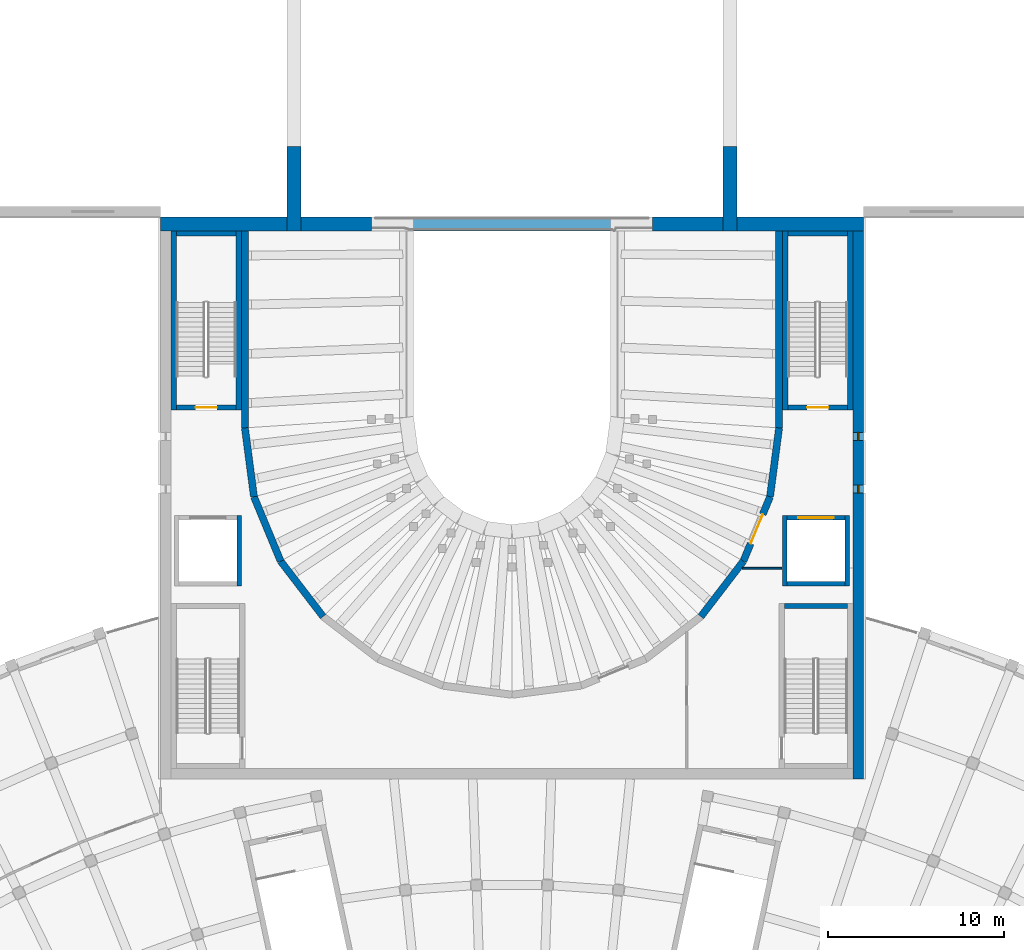
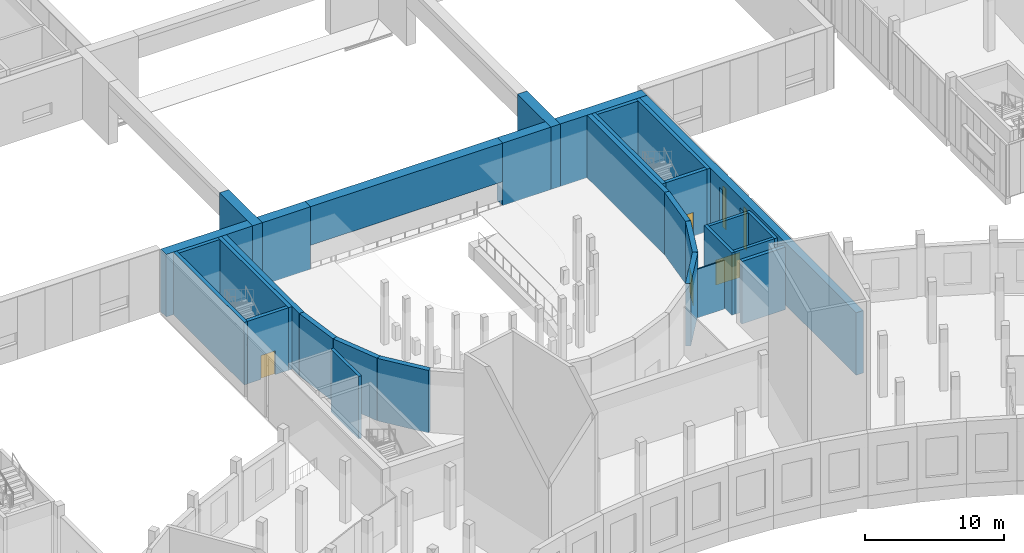
# One storey, part 39 of 87: 29 walls, 4 doors, 2 windows, 6 openings.
"""IFC4 building model written with IfcOpenShell, lengths in metres."""

from ifc_helpers import new_model, si_unit, direction, frame, frame_2d, origin, place, context, subcontext, project, spatial, rectangle, extrude, material, layer, layer_set, type_object, element, fill, save


model = new_model("IFC4")

# Units and contexts
model_context = context("Model", 3, precision=1e-05, world=origin(), true_north=direction((0.0, 1.0)))
body_context = subcontext(model_context, "Body", "Model", "MODEL_VIEW")
ifc_project = project(units=[si_unit("LENGTHUNIT", "METRE"), si_unit("AREAUNIT", "SQUARE_METRE"), si_unit("VOLUMEUNIT", "CUBIC_METRE"), si_unit("PLANEANGLEUNIT", "RADIAN"), si_unit("MASSUNIT", "GRAM", prefix="KILO")], contexts=[model_context])

# Site, building, storey
site_placement = place(None, origin())
site = spatial("IfcSite", under=ifc_project, at=site_placement, CompositionType="ELEMENT")
building_placement = place(site_placement, origin())
building = spatial("IfcBuilding", under=site, at=building_placement, Name="Lunette Opera House", CompositionType="ELEMENT")
storey_placement = place(building_placement, frame((0.0, 0.0, 11.5)))
storey = spatial("IfcBuildingStorey", under=building, at=storey_placement, Name="L02", CompositionType="ELEMENT", Elevation=11.5)

# Walls
ifc_material_1 = material(Name="Concrete C40/50", Category="concrete")
ifc_layer_1 = layer(ifc_material_1, 0.800048828125)
ifc_layer_set_1 = layer_set([ifc_layer_1], Name="Concrete C40/50")
wall_type_1 = type_object("IfcWallType", Name="FIRE WALL 800", PredefinedType="SHEAR", material=ifc_layer_set_1)
wall_1_placement = place(storey_placement, frame((76.0, 95.60009765625, 0.0), z_axis=(0.0, 0.0, 1.0), x_axis=(1.0, 0.0, 0.0)))
element("IfcWall", 1, at=wall_1_placement, inside=storey, type_object=wall_type_1, Name="wall-ST-L02-WP-1", PredefinedType="SHEAR", context=body_context, shape_type="SweptSolid", body=[
    extrude(rectangle(XDim=12.0, YDim=0.800048828125, at=frame_2d((6.0, 0.0))), origin(), (0.0, 0.0, 1.0), 5.5),
])
wall_2_placement = place(storey_placement, frame((88.0, 95.60009765625, 2.10009765625), z_axis=(0.0, 0.0, 1.0), x_axis=(1.0, 0.0, 0.0)))
element("IfcWall", 2, at=wall_2_placement, inside=storey, type_object=wall_type_1, Name="wall-ST-L02-WP-2", PredefinedType="SHEAR", context=body_context, shape_type="SweptSolid", body=[
    extrude(rectangle(XDim=16.0, YDim=0.800048828125, at=frame_2d((8.0, 0.0))), origin(), (0.0, 0.0, 1.0), 3.39990234375),
])
wall_3_placement = place(storey_placement, frame((104.0, 95.60009765625, 0.0), z_axis=(0.0, 0.0, 1.0), x_axis=(1.0, 0.0, 0.0)))
element("IfcWall", 3, at=wall_3_placement, inside=storey, type_object=wall_type_1, Name="wall-ST-L02-WP-3", PredefinedType="SHEAR", context=body_context, shape_type="SweptSolid", body=[
    extrude(rectangle(XDim=12.0, YDim=0.800048828125, at=frame_2d((6.0, 0.0))), origin(), (0.0, 0.0, 1.0), 5.5),
])
ifc_material_2 = material(Name="Concrete C35/45", Category="concrete")
ifc_layer_2 = layer(ifc_material_2, 0.25)
ifc_layer_set_2 = layer_set([ifc_layer_2], Name="Concrete C35/45")
wall_type_2 = type_object("IfcWallType", Name="RC LIFT SHAFT WALL 250", PredefinedType="SOLIDWALL", material=ifc_layer_set_2)
wall_4_placement = place(storey_placement, frame((115.074951171875, 75.0, 0.0), z_axis=(0.0, 0.0, 1.0), x_axis=(0.0, 1.0, 0.0)))
element("IfcWall", 4, at=wall_4_placement, inside=storey, type_object=wall_type_2, Name="LF3 shaft wall 1", PredefinedType="SOLIDWALL", context=body_context, shape_type="SweptSolid", body=[
    extrude(rectangle(XDim=4.0, YDim=0.25, at=frame_2d((2.0, 0.0))), origin(), (0.0, 0.0, 1.0), 5.5),
])

# Wall, opening, door
wall_5_placement = place(storey_placement, frame((114.949951171875, 78.875, 0.0), z_axis=(0.0, 0.0, 1.0), x_axis=(-1.0, 0.0, 0.0)))
wall_5 = element("IfcWall", 5, at=wall_5_placement, inside=storey, type_object=wall_type_2, Name="LF3 shaft wall 2", PredefinedType="SOLIDWALL", context=body_context, shape_type="SweptSolid", body=[
    extrude(rectangle(XDim=3.300048828125, YDim=0.25, at=frame_2d((1.64990234375, 0.0))), origin(), (0.0, 0.0, 1.0), 5.5),
])
opening_1_placement = place(wall_5_placement, frame((0.64990234375, 0.0, 0.0)))
opening_1 = element("IfcOpeningElement", 6, at=opening_1_placement, cuts=wall_5, Name="Opening AU-LD003", PredefinedType="OPENING", context=body_context, shape_type="SweptSolid", body=[
    extrude(rectangle(XDim=2.0, YDim=2.199951171875, at=frame_2d((1.0, 1.10009765625))), frame((0.0, 0.136962890625, 0.0), z_axis=(0.0, -1.0, 0.0), x_axis=(1.0, 0.0, 0.0)), (0.0, 0.0, 1.0), 0.27392578125),
])
ifc_material_3 = material(Name="Stainless steel", Category="steel")
door_type_1 = type_object("IfcDoorType", Name="LIFT LANDING DOOR 2000 X 2200", OperationType="DOUBLE_DOOR_SLIDING", PredefinedType="DOOR", material=ifc_material_3)
door_1_placement = place(opening_1_placement, origin())
door_1 = element("IfcDoor", 7, at=door_1_placement, inside=storey, type_object=door_type_1, Name="LF3 lift landing door", OperationType="DOUBLE_DOOR_SLIDING", OverallHeight=2.199951171875, OverallWidth=2.0, PredefinedType="DOOR", context=body_context, shape_type="SweptSolid", body=[
    extrude(rectangle(XDim=2.0, YDim=2.199951171875, at=frame_2d((1.0, 1.10009765625))), frame((0.0, 0.02490234375, 0.0), z_axis=(0.0, -1.0, 0.0), x_axis=(1.0, 0.0, 0.0)), (0.0, 0.0, 1.0), 0.050048828125),
])
fill(opening_1, door_1)

# Walls
wall_6_placement = place(storey_placement, frame((111.52490234375, 79.0, 0.0), z_axis=(0.0, 0.0, 1.0), x_axis=(0.0, -1.0, 0.0)))
element("IfcWall", 8, at=wall_6_placement, inside=storey, type_object=wall_type_2, Name="LF3 shaft wall 3", PredefinedType="SOLIDWALL", context=body_context, shape_type="SweptSolid", body=[
    extrude(rectangle(XDim=4.0, YDim=0.25, at=frame_2d((2.0, 0.0))), origin(), (0.0, 0.0, 1.0), 5.5),
])
wall_7_placement = place(storey_placement, frame((111.64990234375, 75.125, 0.0), z_axis=(0.0, 0.0, 1.0), x_axis=(1.0, 0.0, 0.0)))
element("IfcWall", 9, at=wall_7_placement, inside=storey, type_object=wall_type_2, Name="LF3 shaft wall 4", PredefinedType="SOLIDWALL", context=body_context, shape_type="SweptSolid", body=[
    extrude(rectangle(XDim=3.300048828125, YDim=0.25, at=frame_2d((1.64990234375, 0.0))), origin(), (0.0, 0.0, 1.0), 5.5),
])
wall_8_placement = place(storey_placement, frame((80.47509765625, 75.0, 0.0), z_axis=(0.0, 0.0, 1.0), x_axis=(0.0, 1.0, 0.0)))
element("IfcWall", 10, at=wall_8_placement, inside=storey, type_object=wall_type_2, Name="LF4 shaft wall 1", PredefinedType="SOLIDWALL", context=body_context, shape_type="SweptSolid", body=[
    extrude(rectangle(XDim=4.0, YDim=0.25, at=frame_2d((2.0, 0.0))), origin(), (0.0, 0.0, 1.0), 5.5),
])
ifc_material_4 = material(Name="Concrete C35/45", Category="concrete")
ifc_layer_3 = layer(ifc_material_4, 0.300048828125)
ifc_layer_set_3 = layer_set([ifc_layer_3], Name="Concrete C35/45")
wall_type_3 = type_object("IfcWallType", Name="RC STAIR ENCLOSURE WALL 300", PredefinedType="SOLIDWALL", material=ifc_layer_set_3)
wall_9_placement = place(storey_placement, frame((80.449951171875, 85.0, 0.0), z_axis=(0.0, 0.0, 1.0), x_axis=(0.0, 1.0, 0.0)))
element("IfcWall", 11, at=wall_9_placement, inside=storey, type_object=wall_type_3, Name="ST10 enclosure wall 1", PredefinedType="SOLIDWALL", context=body_context, shape_type="SweptSolid", body=[
    extrude(rectangle(XDim=10.199951171875, YDim=0.300048828125, at=frame_2d((5.10009765625, 0.0))), origin(), (0.0, 0.0, 1.0), 5.5),
])
wall_10_placement = place(storey_placement, frame((80.300048828125, 95.050048828125, 0.0), z_axis=(0.0, 0.0, 1.0), x_axis=(-1.0, 0.0, 0.0)))
element("IfcWall", 12, at=wall_10_placement, inside=storey, type_object=wall_type_3, Name="ST10 enclosure wall 2", PredefinedType="SOLIDWALL", context=body_context, shape_type="SweptSolid", body=[
    extrude(rectangle(XDim=3.400146484375, YDim=0.300048828125, at=frame_2d((1.7001953125, 0.0))), origin(), (0.0, 0.0, 1.0), 5.5),
])
wall_11_placement = place(storey_placement, frame((76.75, 95.199951171875, 0.0), z_axis=(0.0, 0.0, 1.0), x_axis=(0.0, -1.0, 0.0)))
element("IfcWall", 13, at=wall_11_placement, inside=storey, type_object=wall_type_3, Name="ST10 enclosure wall 3", PredefinedType="SOLIDWALL", context=body_context, shape_type="SweptSolid", body=[
    extrude(rectangle(XDim=10.199951171875, YDim=0.300048828125, at=frame_2d((5.10009765625, 0.0))), origin(), (0.0, 0.0, 1.0), 5.5),
])

# Wall, opening, door
wall_12_placement = place(storey_placement, frame((76.89990234375, 85.14990234375, 0.0), z_axis=(0.0, 0.0, 1.0), x_axis=(1.0, 0.0, 0.0)))
wall_12 = element("IfcWall", 14, at=wall_12_placement, inside=storey, type_object=wall_type_3, Name="ST10 enclosure wall 4", PredefinedType="SOLIDWALL", context=body_context, shape_type="SweptSolid", body=[
    extrude(rectangle(XDim=3.400146484375, YDim=0.300048828125, at=frame_2d((1.7001953125, 0.0))), origin(), (0.0, 0.0, 1.0), 5.5),
])
opening_2_placement = place(wall_12_placement, frame((1.10009765625, 0.0, 0.0)))
opening_2 = element("IfcOpeningElement", 15, at=opening_2_placement, cuts=wall_12, Name="Opening AU-D7004", PredefinedType="OPENING", context=body_context, shape_type="SweptSolid", body=[
    extrude(rectangle(XDim=1.199951171875, YDim=2.10009765625, at=frame_2d((0.60009765625, 1.050048828125))), frame((0.0, 0.162109375, 0.0), z_axis=(0.0, -1.0, 0.0), x_axis=(1.0, 0.0, 0.0)), (0.0, 0.0, 1.0), 0.323974609375),
])
ifc_material_5 = material(Name="Steel", Category="steel")
door_type_2 = type_object("IfcDoorType", Name="FIRE DOOR 1200 X 2100", OperationType="SINGLE_SWING_LEFT", PredefinedType="DOOR", material=ifc_material_5)
door_2_placement = place(opening_2_placement, origin())
door_2 = element("IfcDoor", 16, at=door_2_placement, inside=storey, type_object=door_type_2, Name="ST10 stair door", OperationType="SINGLE_SWING_LEFT", OverallHeight=2.10009765625, OverallWidth=1.199951171875, PredefinedType="DOOR", context=body_context, shape_type="SweptSolid", body=[
    extrude(rectangle(XDim=1.199951171875, YDim=2.10009765625, at=frame_2d((0.60009765625, 1.050048828125))), frame((0.0, 0.02490234375, 0.0), z_axis=(0.0, -1.0, 0.0), x_axis=(1.0, 0.0, 0.0)), (0.0, 0.0, 1.0), 0.050048828125),
])
fill(opening_2, door_2)

# Walls
wall_13_placement = place(storey_placement, frame((115.10009765625, 73.85009765625, 0.0), z_axis=(0.0, 0.0, 1.0), x_axis=(-1.0, 0.0, 0.0)))
element("IfcWall", 17, at=wall_13_placement, inside=storey, type_object=wall_type_3, Name="ST8 enclosure wall 2", PredefinedType="SOLIDWALL", context=body_context, shape_type="SweptSolid", body=[
    extrude(rectangle(XDim=3.60009765625, YDim=0.300048828125, at=frame_2d((1.800048828125, 0.0))), origin(), (0.0, 0.0, 1.0), 5.5),
])
wall_14_placement = place(storey_placement, frame((115.25, 85.0, 0.0), z_axis=(0.0, 0.0, 1.0), x_axis=(0.0, 1.0, 0.0)))
element("IfcWall", 18, at=wall_14_placement, inside=storey, type_object=wall_type_3, Name="ST9 enclosure wall 1", PredefinedType="SOLIDWALL", context=body_context, shape_type="SweptSolid", body=[
    extrude(rectangle(XDim=10.199951171875, YDim=0.300048828125, at=frame_2d((5.10009765625, 0.0))), origin(), (0.0, 0.0, 1.0), 5.5),
])
wall_15_placement = place(storey_placement, frame((115.10009765625, 95.050048828125, 0.0), z_axis=(0.0, 0.0, 1.0), x_axis=(-1.0, 0.0, 0.0)))
element("IfcWall", 19, at=wall_15_placement, inside=storey, type_object=wall_type_3, Name="ST9 enclosure wall 2", PredefinedType="SOLIDWALL", context=body_context, shape_type="SweptSolid", body=[
    extrude(rectangle(XDim=3.400146484375, YDim=0.300048828125, at=frame_2d((1.7001953125, 0.0))), origin(), (0.0, 0.0, 1.0), 5.5),
])
wall_16_placement = place(storey_placement, frame((111.550048828125, 95.199951171875, 0.0), z_axis=(0.0, 0.0, 1.0), x_axis=(0.0, -1.0, 0.0)))
element("IfcWall", 20, at=wall_16_placement, inside=storey, type_object=wall_type_3, Name="ST9 enclosure wall 3", PredefinedType="SOLIDWALL", context=body_context, shape_type="SweptSolid", body=[
    extrude(rectangle(XDim=10.199951171875, YDim=0.300048828125, at=frame_2d((5.10009765625, 0.0))), origin(), (0.0, 0.0, 1.0), 5.5),
])

# Wall, opening, door
wall_17_placement = place(storey_placement, frame((111.699951171875, 85.14990234375, 0.0), z_axis=(0.0, 0.0, 1.0), x_axis=(1.0, 0.0, 0.0)))
wall_17 = element("IfcWall", 21, at=wall_17_placement, inside=storey, type_object=wall_type_3, Name="ST9 enclosure wall 4", PredefinedType="SOLIDWALL", context=body_context, shape_type="SweptSolid", body=[
    extrude(rectangle(XDim=3.400146484375, YDim=0.300048828125, at=frame_2d((1.7001953125, 0.0))), origin(), (0.0, 0.0, 1.0), 5.5),
])
opening_3_placement = place(wall_17_placement, frame((1.10009765625, 0.0, 0.0)))
opening_3 = element("IfcOpeningElement", 22, at=opening_3_placement, cuts=wall_17, Name="Opening AU-D7022", PredefinedType="OPENING", context=body_context, shape_type="SweptSolid", body=[
    extrude(rectangle(XDim=1.199951171875, YDim=2.10009765625, at=frame_2d((0.60009765625, 1.050048828125))), frame((0.0, 0.162109375, 0.0), z_axis=(0.0, -1.0, 0.0), x_axis=(1.0, 0.0, 0.0)), (0.0, 0.0, 1.0), 0.323974609375),
])
door_3_placement = place(opening_3_placement, origin())
door_3 = element("IfcDoor", 23, at=door_3_placement, inside=storey, type_object=door_type_2, Name="ST9 stair door", OperationType="SINGLE_SWING_LEFT", OverallHeight=2.10009765625, OverallWidth=1.199951171875, PredefinedType="DOOR", context=body_context, shape_type="SweptSolid", body=[
    extrude(rectangle(XDim=1.199951171875, YDim=2.10009765625, at=frame_2d((0.60009765625, 1.050048828125))), frame((0.0, 0.02490234375, 0.0), z_axis=(0.0, -1.0, 0.0), x_axis=(1.0, 0.0, 0.0)), (0.0, 0.0, 1.0), 0.050048828125),
])
fill(opening_3, door_3)

# Walls
ifc_material_6 = material(Name="Concrete C35/45", Category="concrete")
ifc_layer_4 = layer(ifc_material_6, 0.39990234375)
ifc_layer_set_4 = layer_set([ifc_layer_4], Name="Concrete C35/45")
wall_type_4 = type_object("IfcWallType", Name="RC WALL 400", PredefinedType="SHEAR", material=ifc_layer_set_4)
wall_18_placement = place(storey_placement, frame((80.800048828125, 95.199951171875, 0.0), z_axis=(0.0, 0.0, 1.0), x_axis=(0.0, -1.0, 0.0)))
element("IfcWall", 24, at=wall_18_placement, inside=storey, type_object=wall_type_4, Name="wall-AU-L02-HW01", PredefinedType="SHEAR", context=body_context, shape_type="SweptSolid", body=[
    extrude(rectangle(XDim=11.212890625, YDim=0.39990234375, at=frame_2d((5.6064453125, 0.0))), origin(), (0.0, 0.0, 1.0), 5.5),
])
wall_19_placement = place(storey_placement, frame((80.800048828125, 83.987060546875, 0.0), z_axis=(0.0, 0.0, 1.0), x_axis=(0.130436947249, -0.991456606611, 0.0)))
element("IfcWall", 25, at=wall_19_placement, inside=storey, type_object=wall_type_4, Name="wall-AU-L02-HW02", PredefinedType="SHEAR", context=body_context, shape_type="SweptSolid", body=[
    extrude(rectangle(XDim=3.954833984375, YDim=0.39990234375, at=frame_2d((1.9775390625, 0.0))), origin(), (0.0, 0.0, 1.0), 5.5),
])
wall_20_placement = place(storey_placement, frame((81.31591796875, 80.06591796875, 0.0), z_axis=(0.0, 0.0, 1.0), x_axis=(0.38271032831, -0.923868391388, 0.0)))
element("IfcWall", 26, at=wall_20_placement, inside=storey, type_object=wall_type_4, Name="wall-AU-L02-HW03", PredefinedType="SHEAR", context=body_context, shape_type="SweptSolid", body=[
    extrude(rectangle(XDim=3.96923828125, YDim=0.39990234375, at=frame_2d((1.984619140625, 0.0))), origin(), (0.0, 0.0, 1.0), 5.5),
])
for number, where, z_axis, x_axis, name in (
    (27, (82.8349609375, 76.39892578125, 0.0), (0.0, 0.0, 1.0), (0.608568439888, -0.793501388766, 0.0), "wall-AU-L02-HW04"),
    (28, (106.75, 73.25, 0.0), (0.0, 0.0, 1.0), (0.608568439888, 0.793501388766, 0.0), "wall-AU-L02-HW11"),
):
    element("IfcWall", number, at=place(storey_placement, frame(where, z_axis=z_axis, x_axis=x_axis)), inside=storey, type_object=wall_type_4, Name=name, PredefinedType="SHEAR", context=body_context, shape_type="SweptSolid", body=[
        extrude(rectangle(XDim=3.968505859375, YDim=0.39990234375, at=frame_2d((1.984375, 0.0))), origin(), (0.0, 0.0, 1.0), 5.5),
    ])

# Wall, opening, door
wall_21_placement = place(storey_placement, frame((109.1650390625, 76.39892578125, 0.0), z_axis=(0.0, 0.0, 1.0), x_axis=(0.38271032831, 0.923868391388, 0.0)))
wall_21 = element("IfcWall", 29, at=wall_21_placement, inside=storey, type_object=wall_type_4, Name="wall-AU-L02-HW12", PredefinedType="SHEAR", context=body_context, shape_type="SweptSolid", body=[
    extrude(rectangle(XDim=3.96923828125, YDim=0.39990234375, at=frame_2d((1.984619140625, 0.0))), origin(), (0.0, 0.0, 1.0), 5.5),
])
opening_4_placement = place(wall_21_placement, frame((1.083984375, 0.0, 0.0)))
opening_4 = element("IfcOpeningElement", 30, at=opening_4_placement, cuts=wall_21, Name="Opening AU-D3010", PredefinedType="OPENING", context=body_context, shape_type="SweptSolid", body=[
    extrude(rectangle(XDim=1.800048828125, YDim=2.10009765625, at=frame_2d((0.89990234375, 1.050048828125))), frame((0.0, 0.2119140625, 0.0), z_axis=(0.0, -1.0, 0.0), x_axis=(1.0, 0.0, 0.0)), (0.0, 0.0, 1.0), 0.423828125),
])
ifc_material_7 = material(Name="Timber", Category="wood")
door_type_3 = type_object("IfcDoorType", Name="SOUND LOCK DOOR 1800 X 2100", OperationType="DOUBLE_DOOR_SINGLE_SWING", PredefinedType="DOOR", material=ifc_material_7)
door_4_placement = place(opening_4_placement, origin())
door_4 = element("IfcDoor", 31, at=door_4_placement, inside=storey, type_object=door_type_3, Name="Auditorium First Tier door", OperationType="DOUBLE_DOOR_SINGLE_SWING", OverallHeight=2.10009765625, OverallWidth=1.800048828125, PredefinedType="DOOR", context=body_context, shape_type="SweptSolid", body=[
    extrude(rectangle(XDim=1.800048828125, YDim=2.10009765625, at=frame_2d((0.89990234375, 1.050048828125))), frame((0.0, 0.02490234375, 0.0), z_axis=(0.0, -1.0, 0.0), x_axis=(1.0, 0.0, 0.0)), (0.0, 0.0, 1.0), 0.050048828125),
])
fill(opening_4, door_4)

# Walls
wall_22_placement = place(storey_placement, frame((110.68408203125, 80.06591796875, 0.0), z_axis=(0.0, 0.0, 1.0), x_axis=(0.130436947249, 0.991456606611, 0.0)))
element("IfcWall", 32, at=wall_22_placement, inside=storey, type_object=wall_type_4, Name="wall-AU-L02-HW13", PredefinedType="SHEAR", context=body_context, shape_type="SweptSolid", body=[
    extrude(rectangle(XDim=3.954833984375, YDim=0.39990234375, at=frame_2d((1.9775390625, 0.0))), origin(), (0.0, 0.0, 1.0), 5.5),
])
wall_23_placement = place(storey_placement, frame((111.199951171875, 83.987060546875, 0.0), z_axis=(0.0, 0.0, 1.0), x_axis=(0.0, 1.0, 0.0)))
element("IfcWall", 33, at=wall_23_placement, inside=storey, type_object=wall_type_4, Name="wall-AU-L02-HW14", PredefinedType="SHEAR", context=body_context, shape_type="SweptSolid", body=[
    extrude(rectangle(XDim=11.212890625, YDim=0.39990234375, at=frame_2d((5.6064453125, 0.0))), origin(), (0.0, 0.0, 1.0), 5.5),
])

# Wall, openings, windows
ifc_material_8 = material(Name="Concrete C35/45", Category="concrete")
ifc_layer_5 = layer(ifc_material_8, 0.60009765625)
ifc_layer_set_5 = layer_set([ifc_layer_5], Name="Concrete C35/45")
wall_type_5 = type_object("IfcWallType", Name="RC WALL 600", PredefinedType="SHEAR", material=ifc_layer_set_5)
wall_24_placement = place(storey_placement, frame((115.699951171875, 64.0, 0.0), z_axis=(0.0, 0.0, 1.0), x_axis=(0.0, 1.0, 0.0)))
wall_24 = element("IfcWall", 34, at=wall_24_placement, inside=storey, type_object=wall_type_5, Name="wall-AU-L02-WE", PredefinedType="SHEAR", context=body_context, shape_type="SweptSolid", body=[
    extrude(rectangle(XDim=32.0, YDim=0.60009765625, at=frame_2d((16.0, 0.0))), origin(), (0.0, 0.0, 1.0), 5.5),
])
opening_5_placement = place(wall_24_placement, frame((16.27490234375, 0.0, 1.0)))
opening_5 = element("IfcOpeningElement", 35, at=opening_5_placement, cuts=wall_24, Name="Opening AU-N2007", PredefinedType="OPENING", context=body_context, shape_type="SweptSolid", body=[
    extrude(rectangle(XDim=0.449951171875, YDim=3.60009765625, at=frame_2d((0.22509765625, 1.800048828125))), frame((0.0, 0.31201171875, 0.0), z_axis=(0.0, -1.0, 0.0), x_axis=(1.0, 0.0, 0.0)), (0.0, 0.0, 1.0), 0.6240234375),
])
opening_6_placement = place(wall_24_placement, frame((19.27490234375, 0.0, 1.0)))
opening_6 = element("IfcOpeningElement", 36, at=opening_6_placement, cuts=wall_24, Name="Opening AU-N2008", PredefinedType="OPENING", context=body_context, shape_type="SweptSolid", body=[
    extrude(rectangle(XDim=0.449951171875, YDim=3.60009765625, at=frame_2d((0.22509765625, 1.800048828125))), frame((0.0, 0.31201171875, 0.0), z_axis=(0.0, -1.0, 0.0), x_axis=(1.0, 0.0, 0.0)), (0.0, 0.0, 1.0), 0.6240234375),
])
ifc_material_9 = material(Name="Aluminium", Category="aluminium")
window_type = type_object("IfcWindowType", Name="SLIT WINDOW 450 X 3600", PartitioningType="SINGLE_PANEL", PredefinedType="WINDOW", material=ifc_material_9)
window_1_placement = place(opening_5_placement, origin())
window_1 = element("IfcWindow", 37, at=window_1_placement, inside=storey, type_object=window_type, Name="Slit Window 450 X 3600 WE-SL805 L02", OverallHeight=3.60009765625, OverallWidth=0.449951171875, PartitioningType="SINGLE_PANEL", PredefinedType="WINDOW", context=body_context, shape_type="SweptSolid", body=[
    extrude(rectangle(XDim=0.449951171875, YDim=3.60009765625, at=frame_2d((0.22509765625, 1.800048828125))), frame((0.0, 0.030029296875, 0.0), z_axis=(0.0, -1.0, 0.0), x_axis=(1.0, 0.0, 0.0)), (0.0, 0.0, 1.0), 0.06005859375),
])
fill(opening_5, window_1)
window_2_placement = place(opening_6_placement, origin())
window_2 = element("IfcWindow", 38, at=window_2_placement, inside=storey, type_object=window_type, Name="Slit Window 450 X 3600 WE-SL835 L02", OverallHeight=3.60009765625, OverallWidth=0.449951171875, PartitioningType="SINGLE_PANEL", PredefinedType="WINDOW", context=body_context, shape_type="SweptSolid", body=[
    extrude(rectangle(XDim=0.449951171875, YDim=3.60009765625, at=frame_2d((0.22509765625, 1.800048828125))), frame((0.0, 0.030029296875, 0.0), z_axis=(0.0, -1.0, 0.0), x_axis=(1.0, 0.0, 0.0)), (0.0, 0.0, 1.0), 0.06005859375),
])
fill(opening_6, window_2)

# Walls
ifc_material_10 = material(Name="Concrete C40/50", Category="concrete")
ifc_layer_6 = layer(ifc_material_10, 0.800048828125)
ifc_layer_set_6 = layer_set([ifc_layer_6], Name="Concrete C40/50")
wall_type_6 = type_object("IfcWallType", Name="RC WALL 800", PredefinedType="SHEAR", material=ifc_layer_set_6)
for number, where, z_axis, x_axis, name in (
    (39, (83.60009765625, 95.199951171875, 0.0), (0.0, 0.0, 1.0), (0.0, 1.0, 0.0), "wall-ST-L02-WW-1"),
    (40, (108.39990234375, 95.199951171875, 0.0), (0.0, 0.0, 1.0), (0.0, 1.0, 0.0), "wall-ST-L02-WE-1"),
):
    element("IfcWall", number, at=place(storey_placement, frame(where, z_axis=z_axis, x_axis=x_axis)), inside=storey, type_object=wall_type_6, Name=name, PredefinedType="SHEAR", context=body_context, shape_type="SweptSolid", body=[
        extrude(rectangle(XDim=4.800048828125, YDim=0.800048828125, at=frame_2d((2.39990234375, 0.0))), origin(), (0.0, 0.0, 1.0), 5.5),
    ])
ifc_material_11 = material(Name="Gypsum board on steel studs", Category="steel")
ifc_layer_7 = layer(ifc_material_11, 0.10009765625)
ifc_layer_set_7 = layer_set([ifc_layer_7], Name="Gypsum board on steel studs")
wall_type_7 = type_object("IfcWallType", Name="STUD PARTITION 100", PredefinedType="PARTITIONING", material=ifc_layer_set_7)
wall_25_placement = place(storey_placement, frame((111.35009765625, 76.0, 0.0), z_axis=(0.0, 0.0, 1.0), x_axis=(-1.0, 0.0, 0.0)))
element("IfcWall", 41, at=wall_25_placement, inside=storey, type_object=wall_type_7, Name="Partition Surtitle and Lighting Gallery", PredefinedType="PARTITIONING", context=body_context, shape_type="SweptSolid", body=[
    extrude(rectangle(XDim=2.238037109375, YDim=0.10009765625, at=frame_2d((1.119140625, 0.0))), origin(), (0.0, 0.0, 1.0), 4.300048828125),
])

save(model, "model.ifc")
